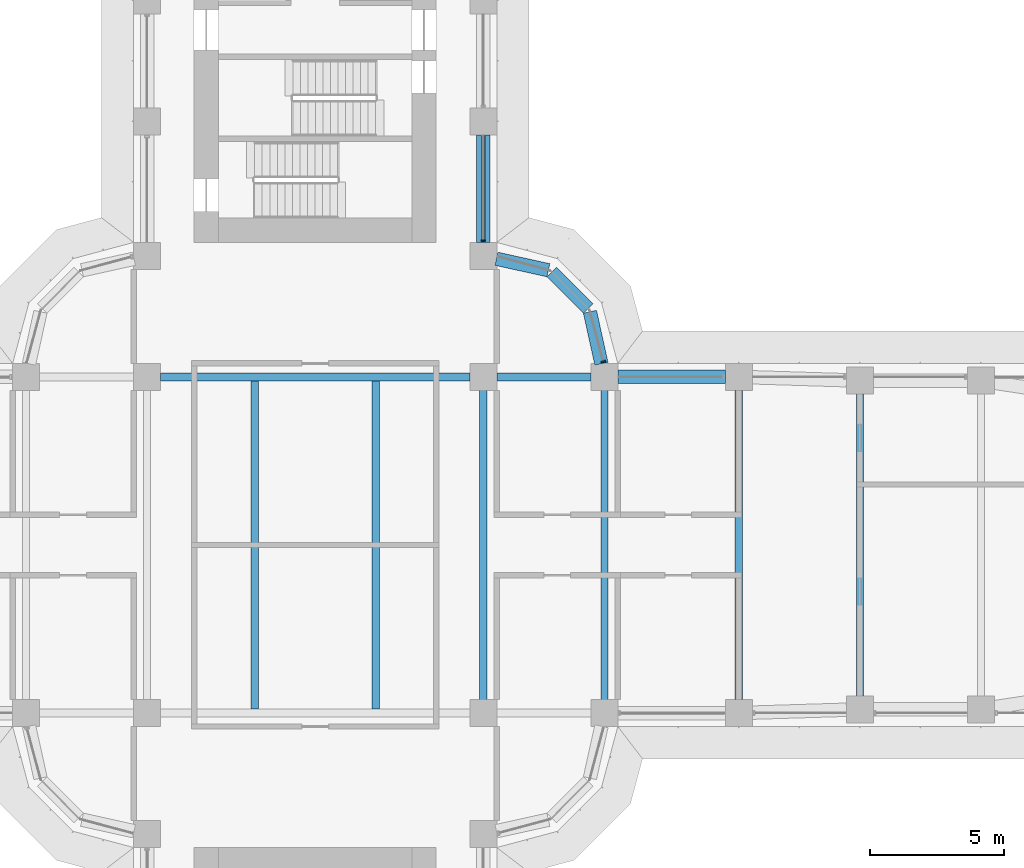
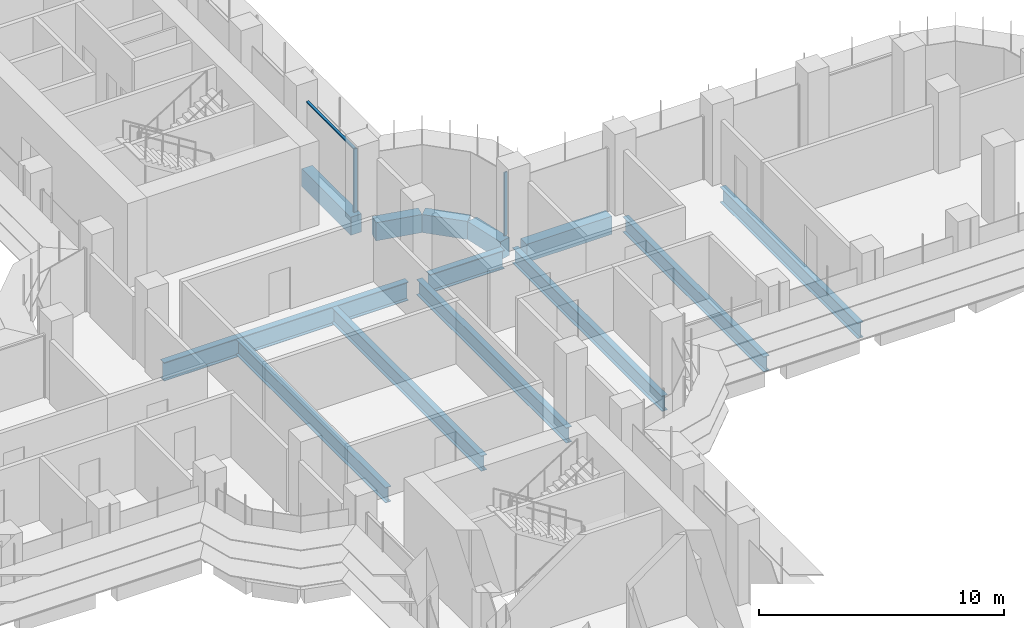
# One storey, part 8 of 23: 13 beams, 3 members, 2 elements without a shape of their own.
"""IFC4 building model written with IfcOpenShell, lengths in metres."""

import ifcopenshell
import ifcopenshell.guid

model = None  # the IFC model being written
_history = None  # IfcOwnerHistory: only IFC2X3 demands one
_inside = {}  # id of a spatial element -> (the spatial element, [elements in it])
_under = {}  # id of a project, library or spatial element -> (it, [spatial elements below it])
_declared = {}  # id of a project -> (the project, [libraries it declares])
_typed = {}  # id of a type object -> (the type object, [elements of that type])
_made_of = {}  # id of a material, layer set ... -> (it, [elements and type objects made of it])


def new_model(schema):
    """Start an empty IFC model of exactly this schema.

    Asked for "IFC4X3", IfcOpenShell would pick the latest addendum, in which some entities
    have other attributes; the version numbers below select the first issue.
    IFC2X3 requires an IfcOwnerHistory on every rooted entity: one is made here for all.
    """
    global model, _history
    if schema == "IFC4X3":
        model = ifcopenshell.file(schema_version=(4, 3, 0, 0))
    else:
        model = ifcopenshell.file(schema=schema)
    _inside.clear()
    _under.clear()
    _declared.clear()
    _typed.clear()
    _made_of.clear()
    _history = None
    if model.schema == "IFC2X3":
        org = make("IfcOrganization", Name="unknown")
        user = make(
            "IfcPersonAndOrganization",
            ThePerson=make("IfcPerson", FamilyName="unknown"),
            TheOrganization=org,
        )
        app = make(
            "IfcApplication",
            ApplicationDeveloper=org,
            Version="unknown",
            ApplicationFullName="unknown",
            ApplicationIdentifier="unknown",
        )
        _history = make(
            "IfcOwnerHistory",
            OwningUser=user,
            OwningApplication=app,
            ChangeAction="ADDED",
            CreationDate=0,
        )
    return model


def make(cls, **values):
    """One entity of the class cls with the attributes given. An attribute that is None is left unset."""
    return model.create_entity(
        cls, **{name: value for name, value in values.items() if value is not None}
    )


def rooted(cls, **values):
    """An entity with a GlobalId (a new one), such as an element, a storey or a relation."""
    return make(cls, GlobalId=ifcopenshell.guid.new(), OwnerHistory=_history, **values)


def si_unit(unit_type, name, prefix=None):
    """IfcSIUnit, for example si_unit("LENGTHUNIT", "METRE", prefix="MILLI")."""
    return make("IfcSIUnit", UnitType=unit_type, Prefix=prefix, Name=name)


def assignment(units):
    """IfcUnitAssignment: the units of a project."""
    return None if units is None else make("IfcUnitAssignment", Units=units)


def point(xyz):
    """IfcCartesianPoint."""
    return None if xyz is None else make("IfcCartesianPoint", Coordinates=xyz)


def direction(xyz):
    """IfcDirection."""
    return None if xyz is None else make("IfcDirection", DirectionRatios=xyz)


def frame(location, z_axis=None, x_axis=None):
    """IfcAxis2Placement3D, a coordinate frame: its origin and axes. An axis left out is left unset."""
    return make(
        "IfcAxis2Placement3D",
        Location=point(location),
        Axis=direction(z_axis),
        RefDirection=direction(x_axis),
    )


def frame_2d(location, x_axis=None):
    """IfcAxis2Placement2D, a coordinate frame in the plane: its origin and x axis."""
    return make(
        "IfcAxis2Placement2D", Location=point(location), RefDirection=direction(x_axis)
    )


def origin():
    """The frame at (0, 0, 0) with its axes left unset."""
    return frame((0.0, 0.0, 0.0))


def origin_2d():
    """The frame at (0, 0) in the plane with its x axis left unset."""
    return frame_2d((0.0, 0.0))


def place(relative_to, where):
    """IfcLocalPlacement: puts the frame where relative to a parent placement (None: the world)."""
    return make(
        "IfcLocalPlacement", PlacementRelTo=relative_to, RelativePlacement=where
    )


def context(
    kind, dimensions, precision=None, world=None, true_north=None, identifier=None
):
    """IfcGeometricRepresentationContext, for example the 3D "Model" context."""
    return make(
        "IfcGeometricRepresentationContext",
        ContextIdentifier=identifier,
        ContextType=kind,
        CoordinateSpaceDimension=dimensions,
        Precision=precision,
        WorldCoordinateSystem=world,
        TrueNorth=true_north,
    )


def subcontext(parent, identifier, kind, view, scale=None):
    """IfcGeometricRepresentationSubContext, for example "Body" below "Model"."""
    return make(
        "IfcGeometricRepresentationSubContext",
        ContextIdentifier=identifier,
        ContextType=kind,
        ParentContext=parent,
        TargetScale=scale,
        TargetView=view,
    )


def project(units=None, contexts=None):
    """IfcProject with its units and contexts."""
    return rooted(
        "IfcProject",
        Name="project",
        RepresentationContexts=contexts,
        UnitsInContext=assignment(units),
    )


def spatial(cls, under=None, at=None, **own):
    """A site, building, storey or space (cls), placed at a placement, below another one or the project."""
    s = rooted(cls, ObjectPlacement=at, **own)
    if under is not None:
        _under.setdefault(under.id(), (under, []))[1].append(s)
    return s


def polyline(points):
    """IfcPolyline through the points."""
    return make("IfcPolyline", Points=[point(p) for p in points])


def profile(cls, at=None, kind="AREA", **sizes):
    """A parametric profile (cls). Its sizes go by their IFC names, for example OverallWidth=200.0."""
    return make(cls, ProfileType=kind, Position=at, **sizes)


def rectangle(**sizes):
    """IfcRectangleProfileDef."""
    return profile("IfcRectangleProfileDef", **sizes)


def i_section(**sizes):
    """IfcIShapeProfileDef."""
    return profile("IfcIShapeProfileDef", **sizes)


def outline(outer, holes=None, kind="AREA"):
    """IfcArbitraryClosedProfileDef: a profile drawn as a closed curve; with holes, ...WithVoids."""
    if holes is None:
        return make("IfcArbitraryClosedProfileDef", ProfileType=kind, OuterCurve=outer)
    return make(
        "IfcArbitraryProfileDefWithVoids",
        ProfileType=kind,
        OuterCurve=outer,
        InnerCurves=holes,
    )


def extrude(swept, where, along, depth):
    """IfcExtrudedAreaSolid: the profile swept, set in the frame where, extruded along a direction by depth."""
    return make(
        "IfcExtrudedAreaSolid",
        SweptArea=swept,
        Position=where,
        ExtrudedDirection=direction(along),
        Depth=depth,
    )


def shape(context_of_items, identifier, shape_type, items):
    """IfcShapeRepresentation: the items that make up one representation, for example the "Body"."""
    return make(
        "IfcShapeRepresentation",
        ContextOfItems=context_of_items,
        RepresentationIdentifier=identifier,
        RepresentationType=shape_type,
        Items=items,
    )


def source(mapping_origin, context_of_items, identifier, shape_type, items):
    """IfcRepresentationMap: a shape defined once, which mapped items show again and again."""
    return make(
        "IfcRepresentationMap",
        MappingOrigin=mapping_origin,
        MappedRepresentation=shape(context_of_items, identifier, shape_type, items),
    )


def transform(
    local_origin,
    x_axis=None,
    y_axis=None,
    z_axis=None,
    scale=None,
    scale2=None,
    scale3=None,
    uniform=True,
):
    """IfcCartesianTransformationOperator3D, or its non-uniform kind. x_axis, y_axis, z_axis: its Axis1, 2, 3."""
    if uniform:
        return make(
            "IfcCartesianTransformationOperator3D",
            Axis1=direction(x_axis),
            Axis2=direction(y_axis),
            LocalOrigin=point(local_origin),
            Scale=scale,
            Axis3=direction(z_axis),
        )
    return make(
        "IfcCartesianTransformationOperator3DnonUniform",
        Axis1=direction(x_axis),
        Axis2=direction(y_axis),
        LocalOrigin=point(local_origin),
        Scale=scale,
        Axis3=direction(z_axis),
        Scale2=scale2,
        Scale3=scale3,
    )


def mapped(mapping_source, mapping_target):
    """IfcMappedItem: shows the shape of a source again, moved by a transform."""
    return make(
        "IfcMappedItem", MappingSource=mapping_source, MappingTarget=mapping_target
    )


def material(Name=None, Category=None):
    """IfcMaterial."""
    return make("IfcMaterial", Name=Name, Category=Category)


def material_profile(
    of_material, cross_section, Name=None, Category=None, Priority=None
):
    """IfcMaterialProfile: a cross section and its material."""
    return make(
        "IfcMaterialProfile",
        Name=Name,
        Material=of_material,
        Profile=cross_section,
        Priority=Priority,
        Category=Category,
    )


def profile_set(profiles, Name=None, composite=None):
    """IfcMaterialProfileSet."""
    return make(
        "IfcMaterialProfileSet",
        Name=Name,
        MaterialProfiles=profiles,
        CompositeProfile=composite,
    )


def made_of(thing, what):
    """Note that an element or type object is made of a material, layer set ...; save() writes the relation."""
    if what is not None:
        _made_of.setdefault(what.id(), (what, []))[1].append(thing)
    return thing


def type_object(cls, material=None, **own):
    """A type object (cls), such as IfcWallType, which elements share."""
    return made_of(rooted(cls, **own), material)


def element(
    cls,
    number,
    at=None,
    inside=None,
    cuts=None,
    type_object=None,
    material=None,
    context=None,
    identifier="Body",
    shape_type=None,
    held_by="IfcProductDefinitionShape",
    body=None,
    shapes=None,
    **own,
):
    """One element of the class cls, such as IfcWall. Its Tag is "e" and its number.

    at: its placement. inside: the storey or other place that contains it. cuts: it is an
    opening in that element (IfcRelVoidsElement). A single representation is given by context,
    identifier, shape_type and body (its items); several are given by shapes. held_by: the class
    of the entity that holds the representations. save() writes the other relations.
    """
    e = rooted(cls, Tag="e%d" % number, ObjectPlacement=at, **own)
    if body is not None:
        shapes = [shape(context, identifier, shape_type, body)]
    if shapes is not None:
        e.Representation = make(held_by, Representations=shapes)
    if inside is not None:
        _inside.setdefault(inside.id(), (inside, []))[1].append(e)
    if cuts is not None:
        rooted(
            "IfcRelVoidsElement", RelatingBuildingElement=cuts, RelatedOpeningElement=e
        )
    if type_object is not None:
        _typed.setdefault(type_object.id(), (type_object, []))[1].append(e)
    return made_of(e, material)


def aggregate(whole, parts):
    """IfcRelAggregates: a whole, such as a stair, and the parts it consists of."""
    return rooted("IfcRelAggregates", RelatingObject=whole, RelatedObjects=parts)


def save(model, path):
    """Write the relations noted so far, then the file.

    IfcRelAggregates (storeys below a building ...), IfcRelContainedInSpatialStructure (elements
    in a storey), IfcRelDefinesByType, IfcRelAssociatesMaterial and IfcRelDeclares: one each for
    every whole, place, type object, material and project.
    """
    for whole, parts in _under.values():
        aggregate(whole, parts)
    for where, things in _inside.values():
        rooted(
            "IfcRelContainedInSpatialStructure",
            RelatedElements=things,
            RelatingStructure=where,
        )
    for kind, things in _typed.values():
        rooted("IfcRelDefinesByType", RelatedObjects=things, RelatingType=kind)
    for what, things in _made_of.values():
        rooted("IfcRelAssociatesMaterial", RelatedObjects=things, RelatingMaterial=what)
    for by, libraries in _declared.values():
        rooted("IfcRelDeclares", RelatingContext=by, RelatedDefinitions=libraries)
    model.write(path)


model = new_model("IFC4")

# Units and contexts
model_context = context("Model", 3, precision=1e-05, world=origin(), true_north=direction((0.0, 1.0)))
body_context = subcontext(model_context, "Body", "Model", "MODEL_VIEW")
ifc_project = project(units=[si_unit("LENGTHUNIT", "METRE"), si_unit("AREAUNIT", "SQUARE_METRE"), si_unit("VOLUMEUNIT", "CUBIC_METRE"), si_unit("PLANEANGLEUNIT", "RADIAN"), si_unit("MASSUNIT", "GRAM", prefix="KILO")], contexts=[model_context])

# Site, building, storey
site_placement = place(None, origin())
site = spatial("IfcSite", under=ifc_project, at=site_placement, CompositionType="ELEMENT")
building_placement = place(site_placement, origin())
building = spatial("IfcBuilding", under=site, at=building_placement, Name="Zarbagh Exchange Tower", CompositionType="ELEMENT")
storey_placement = place(building_placement, frame((0.0, 0.0, 52.199951171875)))
storey = spatial("IfcBuildingStorey", under=building, at=storey_placement, Name="L11", CompositionType="ELEMENT", Elevation=52.199951171875)

# Beams
ifc_material_1 = material(Name="Steel ASTM A992 Gr 50", Category="steel")
ifc_material_profile_1 = material_profile(ifc_material_1, i_section(OverallWidth=0.2666015625, OverallDepth=0.76708984375, WebThickness=0.014892578125, FlangeThickness=0.023681640625, at=origin_2d()), Name="W30X124")
ifc_profile_set_1 = profile_set([ifc_material_profile_1], Name="Steel ASTM A992 Gr 50")
beam_type_1 = type_object("IfcBeamType", Name="Floor beam W30X124", PredefinedType="BEAM", material=ifc_profile_set_1)
for number, where, z_axis, x_axis, name in (
    (1, (-2.25, -6.09765625, -0.533447265625), (0.0, 1.0, 0.0), (-1.0, 0.0, 0.0), "Steel floor beam"),
    (2, (2.25, -6.09765625, -0.533447265625), (0.0, 1.0, 0.0), (-1.0, 0.0, 0.0), "Steel floor beam"),
    (3, (6.25, -6.09765625, -0.533447265625), (0.0, 1.0, 0.0), (-1.0, 0.0, 0.0), "Steel floor beam"),
    (4, (10.75, -6.09765625, -0.533447265625), (0.0, 1.0, 0.0), (-1.0, 0.0, 0.0), "Steel floor beam"),
):
    element("IfcBeam", number, at=place(storey_placement, frame(where, z_axis=z_axis, x_axis=x_axis)), inside=storey, type_object=beam_type_1, Name=name, PredefinedType="BEAM", context=body_context, shape_type="SweptSolid", body=[
        extrude(i_section(OverallWidth=0.2666015625, OverallDepth=0.76708984375, WebThickness=0.014892578125, FlangeThickness=0.023681640625, at=origin_2d()), origin(), (0.0, 0.0, 1.0), 12.1953125),
    ])
beam_1_placement = place(storey_placement, frame((15.75, -5.75, -0.533447265625), z_axis=(0.0, 1.0, 0.0), x_axis=(-1.0, 0.0, 0.0)))
element("IfcBeam", 5, at=beam_1_placement, inside=storey, type_object=beam_type_1, Name="Steel floor beam", PredefinedType="BEAM", context=body_context, shape_type="SweptSolid", body=[
    extrude(i_section(OverallWidth=0.2666015625, OverallDepth=0.76708984375, WebThickness=0.014892578125, FlangeThickness=0.023681640625, at=origin_2d()), origin(), (0.0, 0.0, 1.0), 11.5),
])
beam_2_placement = place(storey_placement, frame((20.25, -5.610107421875, -0.533447265625), z_axis=(0.0, 1.0, 0.0), x_axis=(-1.0, 0.0, 0.0)))
element("IfcBeam", 6, at=beam_2_placement, inside=storey, type_object=beam_type_1, Name="Steel floor beam", PredefinedType="BEAM", context=body_context, shape_type="SweptSolid", body=[
    extrude(i_section(OverallWidth=0.2666015625, OverallDepth=0.76708984375, WebThickness=0.014892578125, FlangeThickness=0.023681640625, at=origin_2d()), origin(), (0.0, 0.0, 1.0), 11.22021484375),
])
ifc_material_profile_2 = material_profile(ifc_material_1, i_section(OverallWidth=0.3046875, OverallDepth=0.91943359375, WebThickness=0.017333984375, FlangeThickness=0.02783203125, at=origin_2d()), Name="W36X170")
ifc_profile_set_2 = profile_set([ifc_material_profile_2], Name="Steel ASTM A992 Gr 50")
beam_type_2 = type_object("IfcBeamType", Name="Floor girder W36X170", PredefinedType="BEAM", material=ifc_profile_set_2)
beam_3_placement = place(storey_placement, frame((-5.75, 6.25, -0.609619140625), z_axis=(1.0, 0.0, 0.0), x_axis=(0.0, 1.0, 0.0)))
element("IfcBeam", 7, at=beam_3_placement, inside=storey, type_object=beam_type_2, Name="Steel girder", PredefinedType="BEAM", context=body_context, shape_type="SweptSolid", body=[
    extrude(i_section(OverallWidth=0.3046875, OverallDepth=0.91943359375, WebThickness=0.017333984375, FlangeThickness=0.02783203125, at=origin_2d()), origin(), (0.0, 0.0, 1.0), 11.5),
])
beam_4_placement = place(storey_placement, frame((6.75, 6.25, -0.609619140625), z_axis=(1.0, 0.0, 0.0), x_axis=(0.0, 1.0, 0.0)))
element("IfcBeam", 8, at=beam_4_placement, inside=storey, type_object=beam_type_2, Name="Steel girder", PredefinedType="BEAM", context=body_context, shape_type="SweptSolid", body=[
    extrude(i_section(OverallWidth=0.3046875, OverallDepth=0.91943359375, WebThickness=0.017333984375, FlangeThickness=0.02783203125, at=origin_2d()), origin(), (0.0, 0.0, 1.0), 3.5),
])
ifc_material_2 = material(Name="Concrete C60/75", Category="concrete")
ifc_material_profile_3 = material_profile(ifc_material_2, rectangle(XDim=0.5, YDim=0.89990234375, at=origin_2d()), Name="RC spandrel beam 500 x 900 C60/75")
ifc_profile_set_3 = profile_set([ifc_material_profile_3], Name="Concrete C60/75")
beam_type_3 = type_object("IfcBeamType", Name="RC spandrel beam 500 x 900 C60/75", PredefinedType="SPANDREL", material=ifc_profile_set_3)
beam_5_placement = place(storey_placement, frame((6.25, 15.25, -0.599853515625), z_axis=(0.0, -1.0, 0.0), x_axis=(1.0, 0.0, 0.0)))
element("IfcBeam", 9, at=beam_5_placement, inside=storey, type_object=beam_type_3, Name="RC spandrel beam", PredefinedType="SPANDREL", context=body_context, shape_type="SweptSolid", body=[
    extrude(rectangle(XDim=0.5, YDim=0.89990234375, at=origin_2d()), origin(), (0.0, 0.0, 1.0), 4.0),
])
beam_6_placement = place(storey_placement, frame((6.73828125, 10.64208984375, -0.599853515625), z_axis=(0.976375426825, -0.216081063242, 0.0), x_axis=(0.216081063242, 0.976375426825, 0.0)))
element("IfcBeam", 10, at=beam_6_placement, inside=storey, type_object=beam_type_3, Name="RC spandrel beam", PredefinedType="SPANDREL", context=body_context, shape_type="SweptSolid", body=[
    extrude(rectangle(XDim=0.5, YDim=0.89990234375, at=origin_2d()), origin(), (0.0, 0.0, 1.0), 1.978271484375),
])
beam_7_placement = place(storey_placement, frame((8.792724609375, 10.147216796875, -0.599853515625), z_axis=(0.707106781187, -0.707106781187, 0.0), x_axis=(0.707106781187, 0.707106781187, 0.0)))
element("IfcBeam", 11, at=beam_7_placement, inside=storey, type_object=beam_type_3, Name="RC spandrel beam", PredefinedType="SPANDREL", context=body_context, shape_type="SweptSolid", body=[
    extrude(rectangle(XDim=0.5, YDim=0.89990234375, at=origin_2d()), origin(), (0.0, 0.0, 1.0), 1.91552734375),
])
beam_8_placement = place(storey_placement, frame((10.214599609375, 8.669921875, -0.599853515625), z_axis=(0.216081063242, -0.976375426825, 0.0), x_axis=(0.976375426825, 0.216081063242, 0.0)))
element("IfcBeam", 12, at=beam_8_placement, inside=storey, type_object=beam_type_3, Name="RC spandrel beam", PredefinedType="SPANDREL", context=body_context, shape_type="SweptSolid", body=[
    extrude(rectangle(XDim=0.5, YDim=0.89990234375, at=origin_2d()), origin(), (0.0, 0.0, 1.0), 1.978271484375),
])
beam_9_placement = place(storey_placement, frame((11.25, 6.25, -0.599853515625), z_axis=(1.0, 0.0, 0.0), x_axis=(0.0, 1.0, 0.0)))
element("IfcBeam", 13, at=beam_9_placement, inside=storey, type_object=beam_type_3, Name="RC spandrel beam", PredefinedType="SPANDREL", context=body_context, shape_type="SweptSolid", body=[
    extrude(rectangle(XDim=0.5, YDim=0.89990234375, at=origin_2d()), origin(), (0.0, 0.0, 1.0), 4.0),
])

# Curtain wall, member
ifc_material_3 = material(Name="Anodised aluminium frame and glazing", Category="aluminium")
curtain_wall_type = type_object("IfcCurtainWallType", Name="CWA Ribbon glazing, lower zones", PredefinedType="NOTDEFINED", material=ifc_material_3)
curtain_wall_1_placement = place(storey_placement, origin())
curtain_wall_1 = element("IfcCurtainWall", 14, at=curtain_wall_1_placement, inside=storey, type_object=curtain_wall_type, Name="CWA17 curtain wall", PredefinedType="NOTDEFINED")
ifc_material_4 = material(Name="Anodised aluminium frame", Category="aluminium")
member_type_1 = type_object("IfcMemberType", Name="MUA Mullion, anodised aluminium frame", PredefinedType="MULLION", material=ifc_material_4)
shared_shape_1 = source(origin(), body_context, "Body", "SweptSolid", [
    extrude(outline(polyline([(0.0, -0.080078125), (0.06005859375, -0.080078125), (0.06005859375, 0.080078125), (0.0, 0.080078125), (0.0, -0.080078125)])), origin(), (0.0, 0.0, 1.0), 3.14990234375),
])
placement = place(storey_placement, origin())
member_1 = element("IfcMember", 15, at=placement, type_object=member_type_1, Name="CWA17 mullion 1.1", PredefinedType="MULLION", context=body_context, shape_type="MappedRepresentation", body=[
    mapped(shared_shape_1, transform((10.7216796875, 6.7900390625, 0.0), x_axis=(-0.258824779902, 0.965924289636, 0.0), y_axis=(-0.965924289636, -0.258824779902, 0.0), z_axis=(0.0, 0.0, 1.0))),
])
aggregate(curtain_wall_1, [member_1])

# Curtain wall, members
curtain_wall_2_placement = place(storey_placement, origin())
curtain_wall_2 = element("IfcCurtainWall", 16, at=curtain_wall_2_placement, inside=storey, type_object=curtain_wall_type, Name="CWA20 curtain wall", PredefinedType="NOTDEFINED")
member_2 = element("IfcMember", 17, at=placement, type_object=member_type_1, Name="CWA20 mullion 1.1", PredefinedType="MULLION", context=body_context, shape_type="MappedRepresentation", body=[
    mapped(shared_shape_1, transform((6.25, 11.2900390625, 0.0), x_axis=(0.0, 1.0, 0.0), y_axis=(-1.0, 0.0, 0.0), z_axis=(0.0, 0.0, 1.0))),
])
member_type_2 = type_object("IfcMemberType", Name="TRA Transom, anodised aluminium frame", PredefinedType="USERDEFINED", material=ifc_material_4)
shared_shape_2 = source(origin(), body_context, "Body", "SweptSolid", [
    extrude(outline(polyline([(-0.06005859375, -0.06005859375), (0.0, -0.06005859375), (0.0, 0.06005859375), (-0.06005859375, 0.06005859375), (-0.06005859375, -0.06005859375)])), origin(), (0.0, 0.0, 1.0), 3.860107421875),
])
member_3 = element("IfcMember", 18, at=placement, type_object=member_type_2, Name="CWA20 transom 1.1", ObjectType="TRANSOM", PredefinedType="USERDEFINED", context=body_context, shape_type="MappedRepresentation", body=[
    mapped(shared_shape_2, transform((6.25, 11.35009765625, 3.150146484375), x_axis=(0.0, 0.0, 1.0), y_axis=(1.0, 0.0, 0.0), z_axis=(0.0, 1.0, 0.0))),
])
aggregate(curtain_wall_2, [member_2, member_3])

save(model, "model.ifc")
